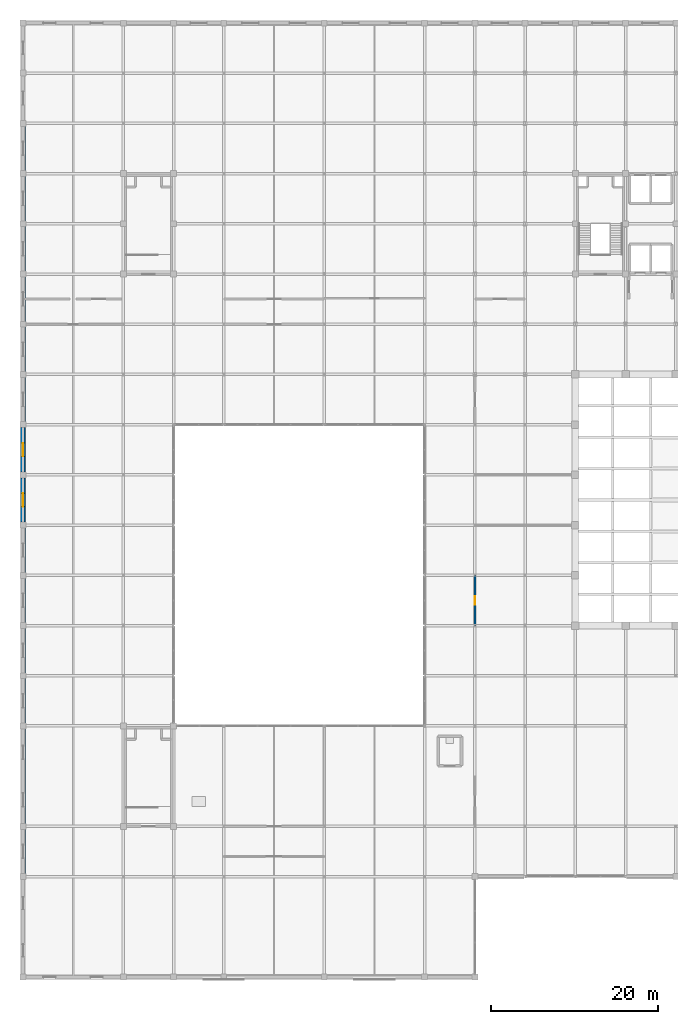
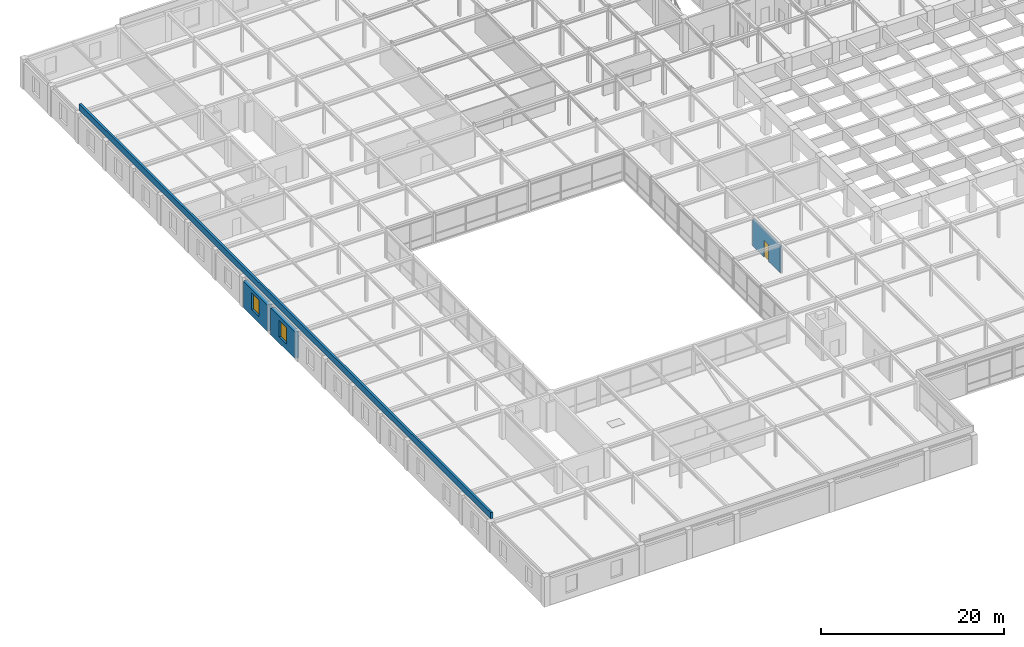
# One storey, part 101 of 111: 4 walls, 2 windows, 1 door, 3 openings.
"""IFC4 building model written with IfcOpenShell, lengths in metres."""

from ifc_helpers import new_model, si_unit, direction, frame, frame_2d, origin, place, context, subcontext, project, spatial, rectangle, extrude, material, layer, layer_set, type_object, element, fill, save


model = new_model("IFC4")

# Units and contexts
model_context = context("Model", 3, precision=1e-05, world=origin(), true_north=direction((0.0, 1.0)))
body_context = subcontext(model_context, "Body", "Model", "MODEL_VIEW")
ifc_project = project(units=[si_unit("LENGTHUNIT", "METRE"), si_unit("AREAUNIT", "SQUARE_METRE"), si_unit("VOLUMEUNIT", "CUBIC_METRE"), si_unit("PLANEANGLEUNIT", "RADIAN"), si_unit("MASSUNIT", "GRAM", prefix="KILO")], contexts=[model_context])

# Site, building, storey
site_placement = place(None, origin())
site = spatial("IfcSite", under=ifc_project, at=site_placement, CompositionType="ELEMENT")
building_placement = place(site_placement, origin())
building = spatial("IfcBuilding", under=site, at=building_placement, Name="Zlatovratsky Civic Hall", CompositionType="ELEMENT")
storey_placement = place(building_placement, frame((0.0, 0.0, 16.5)))
storey = spatial("IfcBuildingStorey", under=building, at=storey_placement, Name="L04", CompositionType="ELEMENT", Elevation=16.5)

# Wall, opening, door
ifc_material_1 = material(Name="Acoustic ceramic blockwork", Category="masonry")
ifc_layer_1 = layer(ifc_material_1, 0.260009765625)
ifc_layer_set_1 = layer_set([ifc_layer_1], Name="Acoustic ceramic blockwork")
wall_type_1 = type_object("IfcWallType", Name="Wall_ArchiveCompartment_260", PredefinedType="PARTITIONING", material=ifc_layer_set_1)
wall_1_placement = place(storey_placement, frame((54.0, 42.0, 0.0), z_axis=(0.0, 0.0, 1.0), x_axis=(0.0, 1.0, 0.0)))
wall_1 = element("IfcWall", 1, at=wall_1_placement, inside=storey, type_object=wall_type_1, Name="WL-6234", PredefinedType="PARTITIONING", context=body_context, shape_type="SweptSolid", body=[
    extrude(rectangle(XDim=6.0, YDim=0.260009765625, at=frame_2d((3.0, 0.0))), origin(), (0.0, 0.0, 1.0), 3.56005859375),
])
opening_1_placement = place(wall_1_placement, frame((2.47509765625, 0.0, 0.0)))
opening_1 = element("IfcOpeningElement", 2, at=opening_1_placement, cuts=wall_1, Name="Opening D-24", PredefinedType="OPENING", context=body_context, shape_type="SweptSolid", body=[
    extrude(rectangle(XDim=1.050048828125, YDim=2.25, at=frame_2d((0.52490234375, 1.125))), frame((0.0, 0.14501953125, 0.0), z_axis=(0.0, -1.0, 0.0), x_axis=(1.0, 0.0, 0.0)), (0.0, 0.0, 1.0), 0.289794921875),
])
ifc_material_2 = material(Name="Solid oak joinery in steel frame", Category="steel")
door_type = type_object("IfcDoorType", Name="Door_DirectorateOffice_1050x2250", OperationType="NOTDEFINED", PredefinedType="DOOR", material=ifc_material_2)
door_placement = place(opening_1_placement, origin())
door = element("IfcDoor", 3, at=door_placement, inside=storey, type_object=door_type, Name="DR-5335", OperationType="SINGLE_SWING_LEFT", OverallHeight=2.25, OverallWidth=1.050048828125, PredefinedType="DOOR", context=body_context, shape_type="SweptSolid", body=[
    extrude(rectangle(XDim=1.050048828125, YDim=2.25, at=frame_2d((0.52490234375, 1.125))), frame((0.0, 0.02490234375, 0.0), z_axis=(0.0, -1.0, 0.0), x_axis=(1.0, 0.0, 0.0)), (0.0, 0.0, 1.0), 0.050048828125),
])
fill(opening_1, door)

# Wall, opening, window
ifc_layer_2 = layer(ifc_material_1, 0.39990234375, Name="Backing")
ifc_material_3 = material(Name="Polished Karelian granite ashlar", Category="masonry")
ifc_layer_3 = layer(ifc_material_3, 0.139892578125, Name="Finish")
ifc_layer_set_2 = layer_set([ifc_layer_2, ifc_layer_3], Name="Acoustic ceramic blockwork")
wall_type_2 = type_object("IfcWallType", Name="Wall_PodiumGraniteArcade_540", PredefinedType="SOLIDWALL", material=ifc_layer_set_2)
wall_2_placement = place(storey_placement, frame((0.0, 54.35009765625, 0.0), z_axis=(0.0, 0.0, 1.0), x_axis=(0.0, 1.0, 0.0)))
wall_2 = element("IfcWall", 4, at=wall_2_placement, inside=storey, type_object=wall_type_2, Name="WL-0362", PredefinedType="SOLIDWALL", context=body_context, shape_type="SweptSolid", body=[
    extrude(rectangle(XDim=5.2998046875, YDim=0.5400390625, at=frame_2d((2.64990234375, 0.0))), origin(), (0.0, 0.0, 1.0), 3.550048828125),
])
opening_2_placement = place(wall_2_placement, frame((1.85009765625, 0.0, 0.85009765625)))
opening_2 = element("IfcOpeningElement", 5, at=opening_2_placement, cuts=wall_2, Name="Opening WN-12", PredefinedType="OPENING", context=body_context, shape_type="SweptSolid", body=[
    extrude(rectangle(XDim=1.60009765625, YDim=2.199951171875, at=frame_2d((0.800048828125, 1.10009765625))), frame((0.0, 0.284912109375, 0.0), z_axis=(0.0, -1.0, 0.0), x_axis=(1.0, 0.0, 0.0)), (0.0, 0.0, 1.0), 0.56982421875),
])
ifc_material_4 = material(Name="Low-E laminated double glazing", Category="glass")
window_type = type_object("IfcWindowType", Name="Window_CourtWingL04_1600x2200", PartitioningType="SINGLE_PANEL", PredefinedType="WINDOW", material=ifc_material_4)
window_1_placement = place(opening_2_placement, origin())
window_1 = element("IfcWindow", 6, at=window_1_placement, inside=storey, type_object=window_type, Name="WN-0292", OverallHeight=2.199951171875, OverallWidth=1.60009765625, PartitioningType="SINGLE_PANEL", PredefinedType="WINDOW", context=body_context, shape_type="SweptSolid", body=[
    extrude(rectangle(XDim=1.60009765625, YDim=2.199951171875, at=frame_2d((0.800048828125, 1.10009765625))), frame((0.0, 0.030029296875, 0.0), z_axis=(0.0, -1.0, 0.0), x_axis=(1.0, 0.0, 0.0)), (0.0, 0.0, 1.0), 0.06005859375),
])
fill(opening_2, window_1)

wall_3_placement = place(storey_placement, frame((0.0, 60.35009765625, 0.0), z_axis=(0.0, 0.0, 1.0), x_axis=(0.0, 1.0, 0.0)))
wall_3 = element("IfcWall", 7, at=wall_3_placement, inside=storey, type_object=wall_type_2, Name="WL-0363", PredefinedType="SOLIDWALL", context=body_context, shape_type="SweptSolid", body=[
    extrude(rectangle(XDim=5.2998046875, YDim=0.5400390625, at=frame_2d((2.64990234375, 0.0))), origin(), (0.0, 0.0, 1.0), 3.550048828125),
])
opening_3_placement = place(wall_3_placement, frame((1.85009765625, 0.0, 0.85009765625)))
opening_3 = element("IfcOpeningElement", 8, at=opening_3_placement, cuts=wall_3, Name="Opening WN-12", PredefinedType="OPENING", context=body_context, shape_type="SweptSolid", body=[
    extrude(rectangle(XDim=1.60009765625, YDim=2.199951171875, at=frame_2d((0.800048828125, 1.10009765625))), frame((0.0, 0.284912109375, 0.0), z_axis=(0.0, -1.0, 0.0), x_axis=(1.0, 0.0, 0.0)), (0.0, 0.0, 1.0), 0.56982421875),
])
window_2_placement = place(opening_3_placement, origin())
window_2 = element("IfcWindow", 9, at=window_2_placement, inside=storey, type_object=window_type, Name="WN-0293", OverallHeight=2.199951171875, OverallWidth=1.60009765625, PartitioningType="SINGLE_PANEL", PredefinedType="WINDOW", context=body_context, shape_type="SweptSolid", body=[
    extrude(rectangle(XDim=1.60009765625, YDim=2.199951171875, at=frame_2d((0.800048828125, 1.10009765625))), frame((0.0, 0.030029296875, 0.0), z_axis=(0.0, -1.0, 0.0), x_axis=(1.0, 0.0, 0.0)), (0.0, 0.0, 1.0), 0.06005859375),
])
fill(opening_3, window_2)

# Wall
ifc_material_5 = material(Name="Podolsk limestone ashlar", Category="masonry")
ifc_layer_4 = layer(ifc_material_5, 0.280029296875)
ifc_layer_set_3 = layer_set([ifc_layer_4], Name="Podolsk limestone ashlar")
wall_type_3 = type_object("IfcWallType", Name="Wall_RoofParapetStone_280", PredefinedType="PARAPET", material=ifc_layer_set_3)
wall_4_placement = place(storey_placement, frame((0.139892578125, 12.0, 4.199951171875), z_axis=(0.0, 0.0, 1.0), x_axis=(0.0, 1.0, 0.0)))
element("IfcWall", 10, at=wall_4_placement, inside=storey, type_object=wall_type_3, Name="WL-0708", PredefinedType="PARAPET", context=body_context, shape_type="SweptSolid", body=[
    extrude(rectangle(XDim=90.0, YDim=0.280029296875, at=frame_2d((45.0, 0.0))), origin(), (0.0, 0.0, 1.0), 0.85009765625),
])

save(model, "model.ifc")
